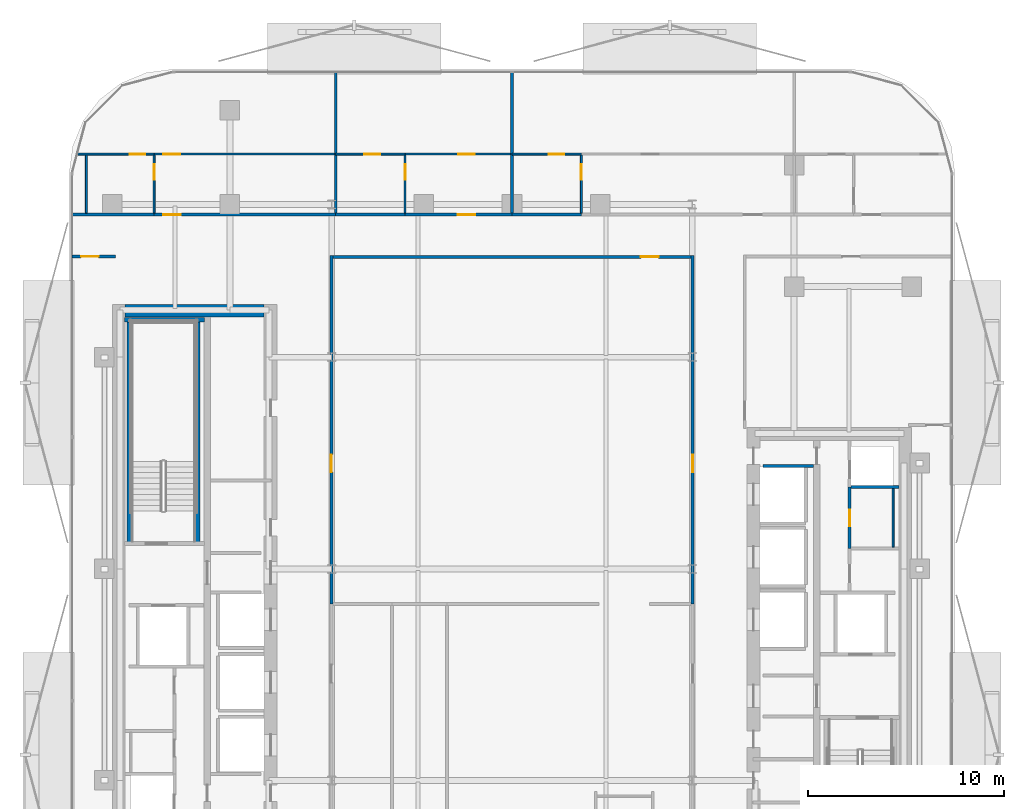
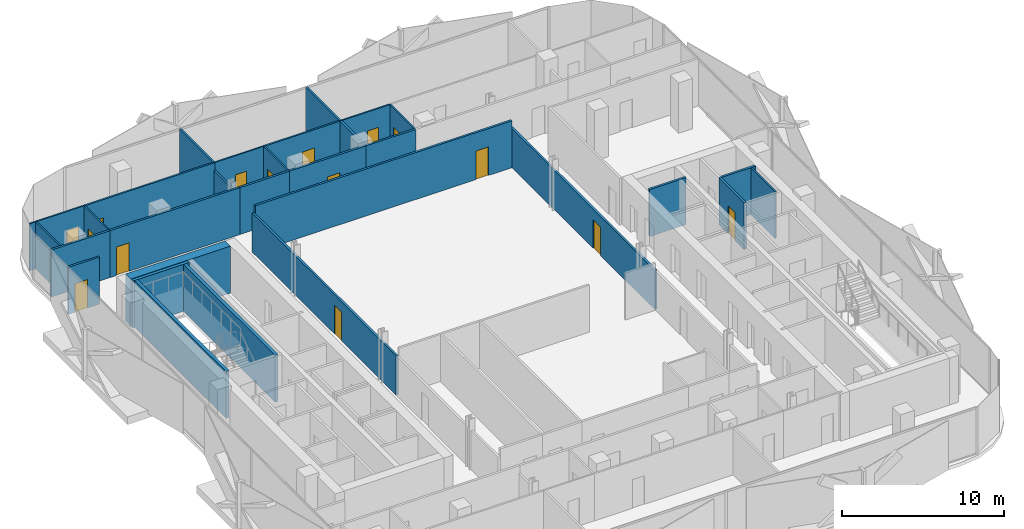
# One storey, part 6 of 17: 30 walls, 15 doors, 15 openings.
"""IFC4 building model written with IfcOpenShell, lengths in metres."""

from ifc_helpers import new_model, si_unit, direction, frame, frame_2d, origin, place, context, subcontext, project, spatial, rectangle, extrude, material, layer, layer_set, type_object, element, fill, save


model = new_model("IFC4")

# Units and contexts
model_context = context("Model", 3, precision=1e-05, world=origin(), true_north=direction((0.0, 1.0)))
body_context = subcontext(model_context, "Body", "Model", "MODEL_VIEW")
ifc_project = project(units=[si_unit("LENGTHUNIT", "METRE"), si_unit("AREAUNIT", "SQUARE_METRE"), si_unit("VOLUMEUNIT", "CUBIC_METRE"), si_unit("PLANEANGLEUNIT", "RADIAN"), si_unit("MASSUNIT", "GRAM", prefix="KILO")], contexts=[model_context])

# Site, building, storey
site_placement = place(None, origin())
site = spatial("IfcSite", under=ifc_project, at=site_placement, CompositionType="ELEMENT")
building_placement = place(site_placement, origin())
building = spatial("IfcBuilding", under=site, at=building_placement, Name="Khairoan Windgate Tower", CompositionType="ELEMENT")
storey_placement = place(building_placement, frame((0.0, 0.0, 199.199951171875)))
storey = spatial("IfcBuildingStorey", under=building, at=storey_placement, Name="L46", CompositionType="ELEMENT", Elevation=199.199951171875)

# Wall, opening, door
ifc_material_1 = material(Name="Moisture-Resistant Gypsum Partition", Category="gypsum")
ifc_layer_1 = layer(ifc_material_1, 0.10009765625, Name="Moisture-Resistant Gypsum Partition")
ifc_layer_set_1 = layer_set([ifc_layer_1], Name="Moisture-Resistant Gypsum Partition")
wall_type_1 = type_object("IfcWallType", Name="Bathroom Wet-Area Partition Wall", PredefinedType="PARTITIONING", material=ifc_layer_set_1)
wall_1_placement = place(storey_placement, frame((-18.260009765625, 18.155029296875, 0.0), z_axis=(0.0, 0.0, 1.0), x_axis=(0.0, 1.0, 0.0)))
wall_1 = element("IfcWall", 1, at=wall_1_placement, inside=storey, type_object=wall_type_1, Name="L46 Interior Partition 050", PredefinedType="PARTITIONING", context=body_context, shape_type="SweptSolid", body=[
    extrude(rectangle(XDim=2.965087890625, YDim=0.10009765625, at=frame_2d((1.482421875, 0.0))), origin(), (0.0, 0.0, 1.0), 3.5400390625),
])
opening_1_placement = place(wall_1_placement, frame((1.705078125, 0.0, 0.0)))
opening_1 = element("IfcOpeningElement", 2, at=opening_1_placement, cuts=wall_1, Name="Opening ID-BTH", PredefinedType="OPENING", context=body_context, shape_type="SweptSolid", body=[
    extrude(rectangle(XDim=0.800048828125, YDim=2.10009765625, at=frame_2d((0.39990234375, 1.050048828125))), frame((0.0, 0.06005859375, 0.0), z_axis=(0.0, -1.0, 0.0), x_axis=(1.0, 0.0, 0.0)), (0.0, 0.0, 1.0), 0.1201171875),
])
ifc_material_2 = material(Name="Teak Veneer Timber Leaf", Category="wood")
door_type_1 = type_object("IfcDoorType", Name="Internal Bathroom Door ID-BTH 800x2100", OperationType="NOTDEFINED", PredefinedType="DOOR", material=ifc_material_2)
door_1_placement = place(opening_1_placement, origin())
door_1 = element("IfcDoor", 3, at=door_1_placement, inside=storey, type_object=door_type_1, Name="L46 L46-40-L46-41 Door", OperationType="SINGLE_SWING_LEFT", OverallHeight=2.10009765625, OverallWidth=0.800048828125, PredefinedType="DOOR", context=body_context, shape_type="SweptSolid", body=[
    extrude(rectangle(XDim=0.800048828125, YDim=2.10009765625, at=frame_2d((0.39990234375, 1.050048828125))), frame((0.0, 0.02490234375, 0.0), z_axis=(0.0, -1.0, 0.0), x_axis=(1.0, 0.0, 0.0)), (0.0, 0.0, 1.0), 0.050048828125),
])
fill(opening_1, door_1)

wall_2_placement = place(storey_placement, frame((-22.193115234375, 21.169921875, 0.0), z_axis=(0.0, 0.0, 1.0), x_axis=(1.0, 0.0, 0.0)))
wall_2 = element("IfcWall", 4, at=wall_2_placement, inside=storey, type_object=wall_type_1, Name="L46 Interior Partition 051", PredefinedType="PARTITIONING", context=body_context, shape_type="SweptSolid", body=[
    extrude(rectangle(XDim=3.93310546875, YDim=0.10009765625, at=frame_2d((1.966552734375, 0.0))), origin(), (0.0, 0.0, 1.0), 3.5400390625),
])
opening_2_placement = place(wall_2_placement, frame((2.673095703125, 0.0, 0.0)))
opening_2 = element("IfcOpeningElement", 5, at=opening_2_placement, cuts=wall_2, Name="Opening ID-BTH", PredefinedType="OPENING", context=body_context, shape_type="SweptSolid", body=[
    extrude(rectangle(XDim=0.800048828125, YDim=2.10009765625, at=frame_2d((0.39990234375, 1.050048828125))), frame((0.0, 0.06005859375, 0.0), z_axis=(0.0, -1.0, 0.0), x_axis=(1.0, 0.0, 0.0)), (0.0, 0.0, 1.0), 0.1201171875),
])
door_2_placement = place(opening_2_placement, origin())
door_2 = element("IfcDoor", 6, at=door_2_placement, inside=storey, type_object=door_type_1, Name="L46 L46-40-L46-42 Door", OperationType="SINGLE_SWING_RIGHT", OverallHeight=2.10009765625, OverallWidth=0.800048828125, PredefinedType="DOOR", context=body_context, shape_type="SweptSolid", body=[
    extrude(rectangle(XDim=0.800048828125, YDim=2.10009765625, at=frame_2d((0.39990234375, 1.050048828125))), frame((0.0, 0.02490234375, 0.0), z_axis=(0.0, -1.0, 0.0), x_axis=(1.0, 0.0, 0.0)), (0.0, 0.0, 1.0), 0.050048828125),
])
fill(opening_2, door_2)

wall_3_placement = place(storey_placement, frame((-5.4599609375, 18.155029296875, 0.0), z_axis=(0.0, 0.0, 1.0), x_axis=(0.0, 1.0, 0.0)))
wall_3 = element("IfcWall", 7, at=wall_3_placement, inside=storey, type_object=wall_type_1, Name="L46 Interior Partition 055", PredefinedType="PARTITIONING", context=body_context, shape_type="SweptSolid", body=[
    extrude(rectangle(XDim=2.965087890625, YDim=0.10009765625, at=frame_2d((1.482421875, 0.0))), origin(), (0.0, 0.0, 1.0), 3.5400390625),
])
opening_3_placement = place(wall_3_placement, frame((1.705078125, 0.0, 0.0)))
opening_3 = element("IfcOpeningElement", 8, at=opening_3_placement, cuts=wall_3, Name="Opening ID-BTH", PredefinedType="OPENING", context=body_context, shape_type="SweptSolid", body=[
    extrude(rectangle(XDim=0.800048828125, YDim=2.10009765625, at=frame_2d((0.39990234375, 1.050048828125))), frame((0.0, 0.06005859375, 0.0), z_axis=(0.0, -1.0, 0.0), x_axis=(1.0, 0.0, 0.0)), (0.0, 0.0, 1.0), 0.1201171875),
])
door_3_placement = place(opening_3_placement, origin())
door_3 = element("IfcDoor", 9, at=door_3_placement, inside=storey, type_object=door_type_1, Name="L46 L46-43-L46-44 Door", OperationType="SINGLE_SWING_RIGHT", OverallHeight=2.10009765625, OverallWidth=0.800048828125, PredefinedType="DOOR", context=body_context, shape_type="SweptSolid", body=[
    extrude(rectangle(XDim=0.800048828125, YDim=2.10009765625, at=frame_2d((0.39990234375, 1.050048828125))), frame((0.0, 0.02490234375, 0.0), z_axis=(0.0, -1.0, 0.0), x_axis=(1.0, 0.0, 0.0)), (0.0, 0.0, 1.0), 0.050048828125),
])
fill(opening_3, door_3)

wall_4_placement = place(storey_placement, frame((-9.0, 21.169921875, 0.0), z_axis=(0.0, 0.0, 1.0), x_axis=(1.0, 0.0, 0.0)))
wall_4 = element("IfcWall", 10, at=wall_4_placement, inside=storey, type_object=wall_type_1, Name="L46 Interior Partition 056", PredefinedType="PARTITIONING", context=body_context, shape_type="SweptSolid", body=[
    extrude(rectangle(XDim=3.5400390625, YDim=0.10009765625, at=frame_2d((1.77001953125, 0.0))), origin(), (0.0, 0.0, 1.0), 3.5400390625),
])
opening_4_placement = place(wall_4_placement, frame((1.47119140625, 0.0, 0.0)))
opening_4 = element("IfcOpeningElement", 11, at=opening_4_placement, cuts=wall_4, Name="Opening ID-BTH", PredefinedType="OPENING", context=body_context, shape_type="SweptSolid", body=[
    extrude(rectangle(XDim=0.800048828125, YDim=2.10009765625, at=frame_2d((0.39990234375, 1.050048828125))), frame((0.0, 0.06005859375, 0.0), z_axis=(0.0, -1.0, 0.0), x_axis=(1.0, 0.0, 0.0)), (0.0, 0.0, 1.0), 0.1201171875),
])
door_4_placement = place(opening_4_placement, origin())
door_4 = element("IfcDoor", 12, at=door_4_placement, inside=storey, type_object=door_type_1, Name="L46 L46-43-L46-45 Door", OperationType="SINGLE_SWING_LEFT", OverallHeight=2.10009765625, OverallWidth=0.800048828125, PredefinedType="DOOR", context=body_context, shape_type="SweptSolid", body=[
    extrude(rectangle(XDim=0.800048828125, YDim=2.10009765625, at=frame_2d((0.39990234375, 1.050048828125))), frame((0.0, 0.02490234375, 0.0), z_axis=(0.0, -1.0, 0.0), x_axis=(1.0, 0.0, 0.0)), (0.0, 0.0, 1.0), 0.050048828125),
])
fill(opening_4, door_4)

wall_5_placement = place(storey_placement, frame((3.5400390625, 18.155029296875, 0.0), z_axis=(0.0, 0.0, 1.0), x_axis=(0.0, 1.0, 0.0)))
wall_5 = element("IfcWall", 13, at=wall_5_placement, inside=storey, type_object=wall_type_1, Name="L46 Interior Partition 060", PredefinedType="PARTITIONING", context=body_context, shape_type="SweptSolid", body=[
    extrude(rectangle(XDim=2.965087890625, YDim=0.10009765625, at=frame_2d((1.482421875, 0.0))), origin(), (0.0, 0.0, 1.0), 3.5400390625),
])
opening_5_placement = place(wall_5_placement, frame((1.705078125, 0.0, 0.0)))
opening_5 = element("IfcOpeningElement", 14, at=opening_5_placement, cuts=wall_5, Name="Opening ID-BTH", PredefinedType="OPENING", context=body_context, shape_type="SweptSolid", body=[
    extrude(rectangle(XDim=0.800048828125, YDim=2.10009765625, at=frame_2d((0.39990234375, 1.050048828125))), frame((0.0, 0.06005859375, 0.0), z_axis=(0.0, -1.0, 0.0), x_axis=(1.0, 0.0, 0.0)), (0.0, 0.0, 1.0), 0.1201171875),
])
door_5_placement = place(opening_5_placement, origin())
door_5 = element("IfcDoor", 15, at=door_5_placement, inside=storey, type_object=door_type_1, Name="L46 L46-46-L46-47 Door", OperationType="SINGLE_SWING_LEFT", OverallHeight=2.10009765625, OverallWidth=0.800048828125, PredefinedType="DOOR", context=body_context, shape_type="SweptSolid", body=[
    extrude(rectangle(XDim=0.800048828125, YDim=2.10009765625, at=frame_2d((0.39990234375, 1.050048828125))), frame((0.0, 0.02490234375, 0.0), z_axis=(0.0, -1.0, 0.0), x_axis=(1.0, 0.0, 0.0)), (0.0, 0.0, 1.0), 0.050048828125),
])
fill(opening_5, door_5)

wall_6_placement = place(storey_placement, frame((0.0, 21.169921875, 0.0), z_axis=(0.0, 0.0, 1.0), x_axis=(1.0, 0.0, 0.0)))
wall_6 = element("IfcWall", 16, at=wall_6_placement, inside=storey, type_object=wall_type_1, Name="L46 Interior Partition 061", PredefinedType="PARTITIONING", context=body_context, shape_type="SweptSolid", body=[
    extrude(rectangle(XDim=3.5400390625, YDim=0.10009765625, at=frame_2d((1.77001953125, 0.0))), origin(), (0.0, 0.0, 1.0), 3.5400390625),
])
opening_6_placement = place(wall_6_placement, frame((1.87548828125, 0.0, 0.0)))
opening_6 = element("IfcOpeningElement", 17, at=opening_6_placement, cuts=wall_6, Name="Opening ID-BTH", PredefinedType="OPENING", context=body_context, shape_type="SweptSolid", body=[
    extrude(rectangle(XDim=0.800048828125, YDim=2.10009765625, at=frame_2d((0.39990234375, 1.050048828125))), frame((0.0, 0.06005859375, 0.0), z_axis=(0.0, -1.0, 0.0), x_axis=(1.0, 0.0, 0.0)), (0.0, 0.0, 1.0), 0.1201171875),
])
door_6_placement = place(opening_6_placement, origin())
door_6 = element("IfcDoor", 18, at=door_6_placement, inside=storey, type_object=door_type_1, Name="L46 L46-46-L46-48 Door", OperationType="SINGLE_SWING_RIGHT", OverallHeight=2.10009765625, OverallWidth=0.800048828125, PredefinedType="DOOR", context=body_context, shape_type="SweptSolid", body=[
    extrude(rectangle(XDim=0.800048828125, YDim=2.10009765625, at=frame_2d((0.39990234375, 1.050048828125))), frame((0.0, 0.02490234375, 0.0), z_axis=(0.0, -1.0, 0.0), x_axis=(1.0, 0.0, 0.0)), (0.0, 0.0, 1.0), 0.050048828125),
])
fill(opening_6, door_6)

# Walls
wall_7_placement = place(storey_placement, frame((19.449951171875, 4.090087890625, 0.0), z_axis=(0.0, 0.0, 1.0), x_axis=(0.0, -1.0, 0.0)))
element("IfcWall", 19, at=wall_7_placement, inside=storey, type_object=wall_type_1, Name="L46 Wet Room Side Wall 083", PredefinedType="PARTITIONING", context=body_context, shape_type="SweptSolid", body=[
    extrude(rectangle(XDim=2.97998046875, YDim=0.10009765625, at=frame_2d((1.489990234375, 0.0))), origin(), (0.0, 0.0, 1.0), 3.5400390625),
])
wall_8_placement = place(storey_placement, frame((-21.719970703125, 18.155029296875, 0.0), z_axis=(0.0, 0.0, 1.0), x_axis=(0.0, 1.0, 0.0)))
element("IfcWall", 20, at=wall_8_placement, inside=storey, type_object=wall_type_1, Name="L46 Wet Room Side Wall 085", PredefinedType="PARTITIONING", context=body_context, shape_type="SweptSolid", body=[
    extrude(rectangle(XDim=2.965087890625, YDim=0.10009765625, at=frame_2d((1.482421875, 0.0))), origin(), (0.0, 0.0, 1.0), 3.5400390625),
])
ifc_material_3 = material(Name="Concrete C40/50", Category="concrete")
ifc_layer_2 = layer(ifc_material_3, 0.159912109375, Name="Concrete C40/50")
ifc_layer_set_2 = layer_set([ifc_layer_2], Name="Concrete C40/50")
wall_type_2 = type_object("IfcWallType", Name="Core and Hoistway Enclosure Wall", PredefinedType="STANDARD", material=ifc_layer_set_2)
wall_9_placement = place(storey_placement, frame((12.800048828125, 5.25, 0.0), z_axis=(0.0, 0.0, 1.0), x_axis=(1.0, 0.0, 0.0)))
element("IfcWall", 21, at=wall_9_placement, inside=storey, type_object=wall_type_2, Name="L46 Core Shaft Wall SW-ESV-L46", PredefinedType="STANDARD", context=body_context, shape_type="SweptSolid", body=[
    extrude(rectangle(XDim=2.599853515625, YDim=0.159912109375, at=frame_2d((1.2998046875, 0.0))), origin(), (0.0, 0.0, 1.0), 3.5400390625),
])
ifc_material_4 = material(Name="Acoustic Fire-Rated Gypsum Partition", Category="gypsum")
ifc_layer_3 = layer(ifc_material_4, 0.139892578125, Name="Acoustic Fire-Rated Gypsum Partition")
ifc_layer_set_3 = layer_set([ifc_layer_3], Name="Acoustic Fire-Rated Gypsum Partition")
wall_type_3 = type_object("IfcWallType", Name="Inter-Tenancy Compartment Wall", PredefinedType="PARTITIONING", material=ifc_layer_set_3)
wall_10_placement = place(storey_placement, frame((-9.0, 18.155029296875, 0.0), z_axis=(0.0, 0.0, 1.0), x_axis=(0.0, 1.0, 0.0)))
element("IfcWall", 22, at=wall_10_placement, inside=storey, type_object=wall_type_3, Name="L46 Interior Partition 053", PredefinedType="PARTITIONING", context=body_context, shape_type="SweptSolid", body=[
    extrude(rectangle(XDim=3.014892578125, YDim=0.139892578125, at=frame_2d((1.50732421875, 0.0))), origin(), (0.0, 0.0, 1.0), 2.9521484375),
])
wall_11_placement = place(storey_placement, frame((-9.0, 21.169921875, 0.0), z_axis=(0.0, 0.0, 1.0), x_axis=(0.0, 1.0, 0.0)))
element("IfcWall", 23, at=wall_11_placement, inside=storey, type_object=wall_type_3, Name="L46 Interior Partition 054", PredefinedType="PARTITIONING", context=body_context, shape_type="SweptSolid", body=[
    extrude(rectangle(XDim=4.18505859375, YDim=0.139892578125, at=frame_2d((2.092529296875, 0.0))), origin(), (0.0, 0.0, 1.0), 3.5400390625),
])
wall_12_placement = place(storey_placement, frame((0.0, 18.155029296875, 0.0), z_axis=(0.0, 0.0, 1.0), x_axis=(0.0, 1.0, 0.0)))
element("IfcWall", 24, at=wall_12_placement, inside=storey, type_object=wall_type_3, Name="L46 Interior Partition 058", PredefinedType="PARTITIONING", context=body_context, shape_type="SweptSolid", body=[
    extrude(rectangle(XDim=3.014892578125, YDim=0.139892578125, at=frame_2d((1.50732421875, 0.0))), origin(), (0.0, 0.0, 1.0), 3.5400390625),
])
wall_13_placement = place(storey_placement, frame((0.0, 21.169921875, 0.0), z_axis=(0.0, 0.0, 1.0), x_axis=(0.0, 1.0, 0.0)))
element("IfcWall", 25, at=wall_13_placement, inside=storey, type_object=wall_type_3, Name="L46 Interior Partition 059", PredefinedType="PARTITIONING", context=body_context, shape_type="SweptSolid", body=[
    extrude(rectangle(XDim=4.18505859375, YDim=0.139892578125, at=frame_2d((2.092529296875, 0.0))), origin(), (0.0, 0.0, 1.0), 3.5400390625),
])

# Wall, opening, door
ifc_material_5 = material(Name="Gypsum Stud Partition", Category="gypsum")
ifc_layer_4 = layer(ifc_material_5, 0.1201171875, Name="Gypsum Stud Partition")
ifc_layer_set_4 = layer_set([ifc_layer_4], Name="Gypsum Stud Partition")
wall_type_4 = type_object("IfcWallType", Name="Internal Room Partition Wall", PredefinedType="PARTITIONING", material=ifc_layer_set_4)
wall_14_placement = place(storey_placement, frame((-18.260009765625, 21.169921875, 0.0), z_axis=(0.0, 0.0, 1.0), x_axis=(1.0, 0.0, 0.0)))
wall_14 = element("IfcWall", 26, at=wall_14_placement, inside=storey, type_object=wall_type_4, Name="L46 Interior Partition 052", PredefinedType="PARTITIONING", context=body_context, shape_type="SweptSolid", body=[
    extrude(rectangle(XDim=9.260009765625, YDim=0.1201171875, at=frame_2d((4.6298828125, 0.0))), origin(), (0.0, 0.0, 1.0), 3.5400390625),
])
opening_7_placement = place(wall_14_placement, frame((0.4599609375, 0.0, 0.0)))
opening_7 = element("IfcOpeningElement", 27, at=opening_7_placement, cuts=wall_14, Name="Opening ID-RM", PredefinedType="OPENING", context=body_context, shape_type="SweptSolid", body=[
    extrude(rectangle(XDim=0.860107421875, YDim=2.14990234375, at=frame_2d((0.43017578125, 1.074951171875))), frame((0.0, 0.070068359375, 0.0), z_axis=(0.0, -1.0, 0.0), x_axis=(1.0, 0.0, 0.0)), (0.0, 0.0, 1.0), 0.14013671875),
])
ifc_material_6 = material(Name="Teak Veneer Timber Leaf", Category="wood")
door_type_2 = type_object("IfcDoorType", Name="Internal Bedroom and Office Door ID-RM 860x2150", OperationType="NOTDEFINED", PredefinedType="DOOR", material=ifc_material_6)
door_7_placement = place(opening_7_placement, origin())
door_7 = element("IfcDoor", 28, at=door_7_placement, inside=storey, type_object=door_type_2, Name="L46 L46-41-L46-42 Door", OperationType="SINGLE_SWING_LEFT", OverallHeight=2.14990234375, OverallWidth=0.860107421875, PredefinedType="DOOR", context=body_context, shape_type="SweptSolid", body=[
    extrude(rectangle(XDim=0.860107421875, YDim=2.14990234375, at=frame_2d((0.43017578125, 1.074951171875))), frame((0.0, 0.02490234375, 0.0), z_axis=(0.0, -1.0, 0.0), x_axis=(1.0, 0.0, 0.0)), (0.0, 0.0, 1.0), 0.050048828125),
])
fill(opening_7, door_7)

wall_15_placement = place(storey_placement, frame((-5.4599609375, 21.169921875, 0.0), z_axis=(0.0, 0.0, 1.0), x_axis=(1.0, 0.0, 0.0)))
wall_15 = element("IfcWall", 29, at=wall_15_placement, inside=storey, type_object=wall_type_4, Name="L46 Interior Partition 057", PredefinedType="PARTITIONING", context=body_context, shape_type="SweptSolid", body=[
    extrude(rectangle(XDim=5.4599609375, YDim=0.1201171875, at=frame_2d((2.72998046875, 0.0))), origin(), (0.0, 0.0, 1.0), 3.5400390625),
])
opening_8_placement = place(wall_15_placement, frame((2.708984375, 0.0, 0.0)))
opening_8 = element("IfcOpeningElement", 30, at=opening_8_placement, cuts=wall_15, Name="Opening ID-RM", PredefinedType="OPENING", context=body_context, shape_type="SweptSolid", body=[
    extrude(rectangle(XDim=0.860107421875, YDim=2.14990234375, at=frame_2d((0.43017578125, 1.074951171875))), frame((0.0, 0.070068359375, 0.0), z_axis=(0.0, -1.0, 0.0), x_axis=(1.0, 0.0, 0.0)), (0.0, 0.0, 1.0), 0.14013671875),
])
door_8_placement = place(opening_8_placement, origin())
door_8 = element("IfcDoor", 31, at=door_8_placement, inside=storey, type_object=door_type_2, Name="L46 L46-44-L46-45 Door", OperationType="SINGLE_SWING_RIGHT", OverallHeight=2.14990234375, OverallWidth=0.860107421875, PredefinedType="DOOR", context=body_context, shape_type="SweptSolid", body=[
    extrude(rectangle(XDim=0.860107421875, YDim=2.14990234375, at=frame_2d((0.43017578125, 1.074951171875))), frame((0.0, 0.02490234375, 0.0), z_axis=(0.0, -1.0, 0.0), x_axis=(1.0, 0.0, 0.0)), (0.0, 0.0, 1.0), 0.050048828125),
])
fill(opening_8, door_8)

ifc_material_7 = material(Name="Concrete C40/50", Category="concrete")
ifc_layer_5 = layer(ifc_material_7, 0.159912109375, Name="Concrete C40/50")
ifc_layer_set_5 = layer_set([ifc_layer_5], Name="Concrete C40/50")
wall_type_5 = type_object("IfcWallType", Name="Plant and Refuge Compartment Wall", PredefinedType="PARTITIONING", material=ifc_layer_set_5)
wall_16_placement = place(storey_placement, frame((17.22998046875, 1.030029296875, 0.0), z_axis=(0.0, 0.0, 1.0), x_axis=(0.0, 1.0, 0.0)))
wall_16 = element("IfcWall", 32, at=wall_16_placement, inside=storey, type_object=wall_type_5, Name="L46 Interior Partition 009", PredefinedType="PARTITIONING", context=body_context, shape_type="SweptSolid", body=[
    extrude(rectangle(XDim=3.139892578125, YDim=0.159912109375, at=frame_2d((1.56982421875, 0.0))), origin(), (0.0, 0.0, 1.0), 3.5400390625),
])
opening_9_placement = place(wall_16_placement, frame((1.14501953125, 0.0, 0.0)))
opening_9 = element("IfcOpeningElement", 33, at=opening_9_placement, cuts=wall_16, Name="Opening FD-SRV", PredefinedType="OPENING", context=body_context, shape_type="SweptSolid", body=[
    extrude(rectangle(XDim=0.85009765625, YDim=2.10009765625, at=frame_2d((0.425048828125, 1.050048828125))), frame((0.0, 0.08984375, 0.0), z_axis=(0.0, -1.0, 0.0), x_axis=(1.0, 0.0, 0.0)), (0.0, 0.0, 1.0), 0.179931640625),
])
ifc_material_8 = material(Name="Steel S355", Category="steel")
door_type_3 = type_object("IfcDoorType", Name="Core Service and Riser Fire Door FD-SRV 850x2100", OperationType="NOTDEFINED", PredefinedType="DOOR", material=ifc_material_8)
door_9_placement = place(opening_9_placement, origin())
door_9 = element("IfcDoor", 34, at=door_9_placement, inside=storey, type_object=door_type_3, Name="L46 L46-18-L46-21 Door", OperationType="SINGLE_SWING_LEFT", OverallHeight=2.10009765625, OverallWidth=0.85009765625, PredefinedType="DOOR", context=body_context, shape_type="SweptSolid", body=[
    extrude(rectangle(XDim=0.85009765625, YDim=2.10009765625, at=frame_2d((0.425048828125, 1.050048828125))), frame((0.0, 0.02490234375, 0.0), z_axis=(0.0, -1.0, 0.0), x_axis=(1.0, 0.0, 0.0)), (0.0, 0.0, 1.0), 0.050048828125),
])
fill(opening_9, door_9)

# Wall
wall_17_placement = place(storey_placement, frame((17.31005859375, 4.169921875, 0.0), z_axis=(0.0, 0.0, 1.0), x_axis=(1.0, 0.0, 0.0)))
element("IfcWall", 35, at=wall_17_placement, inside=storey, type_object=wall_type_5, Name="L46 Interior Partition 010", PredefinedType="PARTITIONING", context=body_context, shape_type="SweptSolid", body=[
    extrude(rectangle(XDim=2.43994140625, YDim=0.159912109375, at=frame_2d((1.219970703125, 0.0))), origin(), (0.0, 0.0, 1.0), 3.5400390625),
])

# Wall, opening, door
ifc_material_9 = material(Name="Acoustic Fire-Rated Gypsum Partition", Category="gypsum")
ifc_layer_6 = layer(ifc_material_9, 0.14990234375, Name="Acoustic Fire-Rated Gypsum Partition")
ifc_layer_set_6 = layer_set([ifc_layer_6], Name="Acoustic Fire-Rated Gypsum Partition")
wall_type_6 = type_object("IfcWallType", Name="Rated Corridor Partition Wall", PredefinedType="PARTITIONING", material=ifc_layer_set_6)
wall_18_placement = place(storey_placement, frame((-9.219970703125, -1.800048828125, 0.0), z_axis=(0.0, 0.0, 1.0), x_axis=(0.0, 1.0, 0.0)))
wall_18 = element("IfcWall", 36, at=wall_18_placement, inside=storey, type_object=wall_type_6, Name="L46 Interior Partition 015", PredefinedType="PARTITIONING", context=body_context, shape_type="SweptSolid", body=[
    extrude(rectangle(XDim=17.795166015625, YDim=0.14990234375, at=frame_2d((8.8974609375, 0.0))), origin(), (0.0, 0.0, 1.0), 2.9521484375),
])
opening_10_placement = place(wall_18_placement, frame((6.728759765625, 0.0, 0.0)))
opening_10 = element("IfcOpeningElement", 37, at=opening_10_placement, cuts=wall_18, Name="Opening FD-ENT", PredefinedType="OPENING", context=body_context, shape_type="SweptSolid", body=[
    extrude(rectangle(XDim=0.89990234375, YDim=2.14990234375, at=frame_2d((0.449951171875, 1.074951171875))), frame((0.0, 0.0849609375, 0.0), z_axis=(0.0, -1.0, 0.0), x_axis=(1.0, 0.0, 0.0)), (0.0, 0.0, 1.0), 0.169921875),
])
ifc_material_10 = material(Name="Timber Fire-Rated Core", Category="wood")
door_type_4 = type_object("IfcDoorType", Name="Unit and Office Fire Entrance Door FD-ENT 900x2150", OperationType="NOTDEFINED", PredefinedType="DOOR", material=ifc_material_10)
door_10_placement = place(opening_10_placement, origin())
door_10 = element("IfcDoor", 38, at=door_10_placement, inside=storey, type_object=door_type_4, Name="L46 L46-30-L46-39 Door", OperationType="SINGLE_SWING_LEFT", OverallHeight=2.14990234375, OverallWidth=0.89990234375, PredefinedType="DOOR", context=body_context, shape_type="SweptSolid", body=[
    extrude(rectangle(XDim=0.89990234375, YDim=2.14990234375, at=frame_2d((0.449951171875, 1.074951171875))), frame((0.0, 0.02490234375, 0.0), z_axis=(0.0, -1.0, 0.0), x_axis=(1.0, 0.0, 0.0)), (0.0, 0.0, 1.0), 0.050048828125),
])
fill(opening_10, door_10)

wall_19_placement = place(storey_placement, frame((9.219970703125, -1.800048828125, 0.0), z_axis=(0.0, 0.0, 1.0), x_axis=(0.0, 1.0, 0.0)))
wall_19 = element("IfcWall", 39, at=wall_19_placement, inside=storey, type_object=wall_type_6, Name="L46 Interior Partition 017", PredefinedType="PARTITIONING", context=body_context, shape_type="SweptSolid", body=[
    extrude(rectangle(XDim=17.795166015625, YDim=0.14990234375, at=frame_2d((8.8974609375, 0.0))), origin(), (0.0, 0.0, 1.0), 2.9521484375),
])
opening_11_placement = place(wall_19_placement, frame((6.728759765625, 0.0, 0.0)))
opening_11 = element("IfcOpeningElement", 40, at=opening_11_placement, cuts=wall_19, Name="Opening FD-ENT", PredefinedType="OPENING", context=body_context, shape_type="SweptSolid", body=[
    extrude(rectangle(XDim=0.89990234375, YDim=2.14990234375, at=frame_2d((0.449951171875, 1.074951171875))), frame((0.0, 0.0849609375, 0.0), z_axis=(0.0, -1.0, 0.0), x_axis=(1.0, 0.0, 0.0)), (0.0, 0.0, 1.0), 0.169921875),
])
door_11_placement = place(opening_11_placement, origin())
door_11 = element("IfcDoor", 41, at=door_11_placement, inside=storey, type_object=door_type_4, Name="L46 L46-31-L46-39 Door", OperationType="SINGLE_SWING_LEFT", OverallHeight=2.14990234375, OverallWidth=0.89990234375, PredefinedType="DOOR", context=body_context, shape_type="SweptSolid", body=[
    extrude(rectangle(XDim=0.89990234375, YDim=2.14990234375, at=frame_2d((0.449951171875, 1.074951171875))), frame((0.0, 0.02490234375, 0.0), z_axis=(0.0, -1.0, 0.0), x_axis=(1.0, 0.0, 0.0)), (0.0, 0.0, 1.0), 0.050048828125),
])
fill(opening_11, door_11)

wall_20_placement = place(storey_placement, frame((-9.14501953125, 15.919921875, 0.0), z_axis=(0.0, 0.0, 1.0), x_axis=(1.0, 0.0, 0.0)))
wall_20 = element("IfcWall", 42, at=wall_20_placement, inside=storey, type_object=wall_type_6, Name="L46 Interior Partition 019", PredefinedType="PARTITIONING", context=body_context, shape_type="SweptSolid", body=[
    extrude(rectangle(XDim=18.2900390625, YDim=0.14990234375, at=frame_2d((9.14501953125, 0.0))), origin(), (0.0, 0.0, 1.0), 3.5400390625),
])
opening_12_placement = place(wall_20_placement, frame((15.724853515625, 0.0, 0.0)))
opening_12 = element("IfcOpeningElement", 43, at=opening_12_placement, cuts=wall_20, Name="Opening FD-ENT", PredefinedType="OPENING", context=body_context, shape_type="SweptSolid", body=[
    extrude(rectangle(XDim=0.89990234375, YDim=2.14990234375, at=frame_2d((0.449951171875, 1.074951171875))), frame((0.0, 0.0849609375, 0.0), z_axis=(0.0, -1.0, 0.0), x_axis=(1.0, 0.0, 0.0)), (0.0, 0.0, 1.0), 0.169921875),
])
door_12_placement = place(opening_12_placement, origin())
door_12 = element("IfcDoor", 44, at=door_12_placement, inside=storey, type_object=door_type_4, Name="L46 L46-32-L46-39 Door", OperationType="SINGLE_SWING_LEFT", OverallHeight=2.14990234375, OverallWidth=0.89990234375, PredefinedType="DOOR", context=body_context, shape_type="SweptSolid", body=[
    extrude(rectangle(XDim=0.89990234375, YDim=2.14990234375, at=frame_2d((0.449951171875, 1.074951171875))), frame((0.0, 0.02490234375, 0.0), z_axis=(0.0, -1.0, 0.0), x_axis=(1.0, 0.0, 0.0)), (0.0, 0.0, 1.0), 0.050048828125),
])
fill(opening_12, door_12)

# Wall
wall_21_placement = place(storey_placement, frame((-22.455078125, 18.080078125, 0.0), z_axis=(0.0, 0.0, 1.0), x_axis=(1.0, 0.0, 0.0)))
element("IfcWall", 45, at=wall_21_placement, inside=storey, type_object=wall_type_6, Name="L46 Interior Partition 020", PredefinedType="PARTITIONING", context=body_context, shape_type="SweptSolid", body=[
    extrude(rectangle(XDim=4.195068359375, YDim=0.14990234375, at=frame_2d((2.09765625, 0.0))), origin(), (0.0, 0.0, 1.0), 3.5400390625),
])

# Wall, opening, door
wall_22_placement = place(storey_placement, frame((-18.260009765625, 18.080078125, 0.0), z_axis=(0.0, 0.0, 1.0), x_axis=(1.0, 0.0, 0.0)))
wall_22 = element("IfcWall", 46, at=wall_22_placement, inside=storey, type_object=wall_type_6, Name="L46 Interior Partition 021", PredefinedType="PARTITIONING", context=body_context, shape_type="SweptSolid", body=[
    extrude(rectangle(XDim=9.260009765625, YDim=0.14990234375, at=frame_2d((4.6298828125, 0.0))), origin(), (0.0, 0.0, 1.0), 3.5400390625),
])
opening_13_placement = place(wall_22_placement, frame((0.4599609375, 0.0, 0.0)))
opening_13 = element("IfcOpeningElement", 47, at=opening_13_placement, cuts=wall_22, Name="Opening FD-ENT", PredefinedType="OPENING", context=body_context, shape_type="SweptSolid", body=[
    extrude(rectangle(XDim=0.89990234375, YDim=2.14990234375, at=frame_2d((0.449951171875, 1.074951171875))), frame((0.0, 0.0849609375, 0.0), z_axis=(0.0, -1.0, 0.0), x_axis=(1.0, 0.0, 0.0)), (0.0, 0.0, 1.0), 0.169921875),
])
door_13_placement = place(opening_13_placement, origin())
door_13 = element("IfcDoor", 48, at=door_13_placement, inside=storey, type_object=door_type_4, Name="L46 L46-32-L46-41 Door", OperationType="SINGLE_SWING_RIGHT", OverallHeight=2.14990234375, OverallWidth=0.89990234375, PredefinedType="DOOR", context=body_context, shape_type="SweptSolid", body=[
    extrude(rectangle(XDim=0.89990234375, YDim=2.14990234375, at=frame_2d((0.449951171875, 1.074951171875))), frame((0.0, 0.02490234375, 0.0), z_axis=(0.0, -1.0, 0.0), x_axis=(1.0, 0.0, 0.0)), (0.0, 0.0, 1.0), 0.050048828125),
])
fill(opening_13, door_13)

# Wall
wall_23_placement = place(storey_placement, frame((-9.0, 18.080078125, 0.0), z_axis=(0.0, 0.0, 1.0), x_axis=(1.0, 0.0, 0.0)))
element("IfcWall", 49, at=wall_23_placement, inside=storey, type_object=wall_type_6, Name="L46 Interior Partition 022", PredefinedType="PARTITIONING", context=body_context, shape_type="SweptSolid", body=[
    extrude(rectangle(XDim=3.5400390625, YDim=0.14990234375, at=frame_2d((1.77001953125, 0.0))), origin(), (0.0, 0.0, 1.0), 3.5400390625),
])

# Wall, opening, door
wall_24_placement = place(storey_placement, frame((-5.4599609375, 18.080078125, 0.0), z_axis=(0.0, 0.0, 1.0), x_axis=(1.0, 0.0, 0.0)))
wall_24 = element("IfcWall", 50, at=wall_24_placement, inside=storey, type_object=wall_type_6, Name="L46 Interior Partition 023", PredefinedType="PARTITIONING", context=body_context, shape_type="SweptSolid", body=[
    extrude(rectangle(XDim=5.4599609375, YDim=0.14990234375, at=frame_2d((2.72998046875, 0.0))), origin(), (0.0, 0.0, 1.0), 3.5400390625),
])
opening_14_placement = place(wall_24_placement, frame((2.684326171875, 0.0, 0.0)))
opening_14 = element("IfcOpeningElement", 51, at=opening_14_placement, cuts=wall_24, Name="Opening FD-ENT", PredefinedType="OPENING", context=body_context, shape_type="SweptSolid", body=[
    extrude(rectangle(XDim=0.89990234375, YDim=2.14990234375, at=frame_2d((0.449951171875, 1.074951171875))), frame((0.0, 0.0849609375, 0.0), z_axis=(0.0, -1.0, 0.0), x_axis=(1.0, 0.0, 0.0)), (0.0, 0.0, 1.0), 0.169921875),
])
door_14_placement = place(opening_14_placement, origin())
door_14 = element("IfcDoor", 52, at=door_14_placement, inside=storey, type_object=door_type_4, Name="L46 L46-32-L46-44 Door", OperationType="SINGLE_SWING_LEFT", OverallHeight=2.14990234375, OverallWidth=0.89990234375, PredefinedType="DOOR", context=body_context, shape_type="SweptSolid", body=[
    extrude(rectangle(XDim=0.89990234375, YDim=2.14990234375, at=frame_2d((0.449951171875, 1.074951171875))), frame((0.0, 0.02490234375, 0.0), z_axis=(0.0, -1.0, 0.0), x_axis=(1.0, 0.0, 0.0)), (0.0, 0.0, 1.0), 0.050048828125),
])
fill(opening_14, door_14)

# Wall
wall_25_placement = place(storey_placement, frame((0.0, 18.080078125, 0.0), z_axis=(0.0, 0.0, 1.0), x_axis=(1.0, 0.0, 0.0)))
element("IfcWall", 53, at=wall_25_placement, inside=storey, type_object=wall_type_6, Name="L46 Interior Partition 024", PredefinedType="PARTITIONING", context=body_context, shape_type="SweptSolid", body=[
    extrude(rectangle(XDim=3.5400390625, YDim=0.14990234375, at=frame_2d((1.77001953125, 0.0))), origin(), (0.0, 0.0, 1.0), 3.5400390625),
])

# Wall, opening, door
wall_26_placement = place(storey_placement, frame((-22.455078125, 15.93994140625, 0.0), z_axis=(0.0, 0.0, 1.0), x_axis=(1.0, 0.0, 0.0)))
wall_26 = element("IfcWall", 54, at=wall_26_placement, inside=storey, type_object=wall_type_6, Name="L46 Interior Partition 029", PredefinedType="PARTITIONING", context=body_context, shape_type="SweptSolid", body=[
    extrude(rectangle(XDim=2.215087890625, YDim=0.14990234375, at=frame_2d((1.107421875, 0.0))), origin(), (0.0, 0.0, 1.0), 3.5400390625),
])
opening_15_placement = place(wall_26_placement, frame((0.4599609375, 0.0, 0.0)))
opening_15 = element("IfcOpeningElement", 55, at=opening_15_placement, cuts=wall_26, Name="Opening FD-ENT", PredefinedType="OPENING", context=body_context, shape_type="SweptSolid", body=[
    extrude(rectangle(XDim=0.89990234375, YDim=2.14990234375, at=frame_2d((0.449951171875, 1.074951171875))), frame((0.0, 0.0849609375, 0.0), z_axis=(0.0, -1.0, 0.0), x_axis=(1.0, 0.0, 0.0)), (0.0, 0.0, 1.0), 0.169921875),
])
door_15_placement = place(opening_15_placement, origin())
door_15 = element("IfcDoor", 56, at=door_15_placement, inside=storey, type_object=door_type_4, Name="L46 L46-32-L46-62 Door", OperationType="SINGLE_SWING_LEFT", OverallHeight=2.14990234375, OverallWidth=0.89990234375, PredefinedType="DOOR", context=body_context, shape_type="SweptSolid", body=[
    extrude(rectangle(XDim=0.89990234375, YDim=2.14990234375, at=frame_2d((0.449951171875, 1.074951171875))), frame((0.0, 0.02490234375, 0.0), z_axis=(0.0, -1.0, 0.0), x_axis=(1.0, 0.0, 0.0)), (0.0, 0.0, 1.0), 0.050048828125),
])
fill(opening_15, door_15)

# Walls
ifc_material_11 = material(Name="Concrete C60/75", Category="concrete")
ifc_layer_7 = layer(ifc_material_11, 0.64990234375, Name="Concrete C60/75")
ifc_layer_set_7 = layer_set([ifc_layer_7], Name="Concrete C60/75")
wall_type_7 = type_object("IfcWallType", Name="Shear Wall CW-W2 650mm", PredefinedType="SHEAR", material=ifc_layer_set_7)
wall_27_placement = place(storey_placement, frame((-19.75, 13.175048828125, 0.0), z_axis=(0.0, 0.0, 1.0), x_axis=(1.0, 0.0, 0.0)))
element("IfcWall", 57, at=wall_27_placement, inside=storey, type_object=wall_type_7, Name="W Core North Shear Wall L46", PredefinedType="SHEAR", context=body_context, shape_type="SweptSolid", body=[
    extrude(rectangle(XDim=7.10009765625, YDim=0.64990234375, at=frame_2d((3.550048828125, 0.0))), origin(), (0.0, 0.0, 1.0), 3.5400390625),
])
ifc_material_12 = material(Name="Concrete C50/60", Category="concrete")
ifc_layer_8 = layer(ifc_material_12, 0.219970703125, Name="Concrete C50/60")
ifc_layer_set_8 = layer_set([ifc_layer_8], Name="Concrete C50/60")
wall_type_8 = type_object("IfcWallType", Name="Shear Wall SW-ST 220mm", PredefinedType="SHEAR", material=ifc_layer_set_8)
for number, where, z_axis, x_axis, name in (
    (58, (-16.0400390625, 1.2900390625, 0.0), (0.0, 0.0, 1.0), (0.0, 1.0, 0.0), "L46 Stair ST2 East Bearing Wall"),
    (59, (-19.530029296875, 1.2900390625, 0.0), (0.0, 0.0, 1.0), (0.0, 1.0, 0.0), "L46 Stair ST2 West Bearing Wall"),
):
    element("IfcWall", number, at=place(storey_placement, frame(where, z_axis=z_axis, x_axis=x_axis)), inside=storey, type_object=wall_type_8, Name=name, PredefinedType="SHEAR", context=body_context, shape_type="SweptSolid", body=[
        extrude(rectangle(XDim=11.419921875, YDim=0.219970703125, at=frame_2d((5.7099609375, 0.0))), origin(), (0.0, 0.0, 1.0), 3.5400390625),
    ])
wall_28_placement = place(storey_placement, frame((-19.77001953125, 12.7099609375, 0.0), z_axis=(0.0, 0.0, 1.0), x_axis=(1.0, 0.0, 0.0)))
element("IfcWall", 60, at=wall_28_placement, inside=storey, type_object=wall_type_8, Name="L46 Stair ST2 North Bearing Wall", PredefinedType="SHEAR", context=body_context, shape_type="SweptSolid", body=[
    extrude(rectangle(XDim=4.06494140625, YDim=0.219970703125, at=frame_2d((2.032470703125, 0.0))), origin(), (0.0, 0.0, 1.0), 3.5400390625),
])

save(model, "model.ifc")
